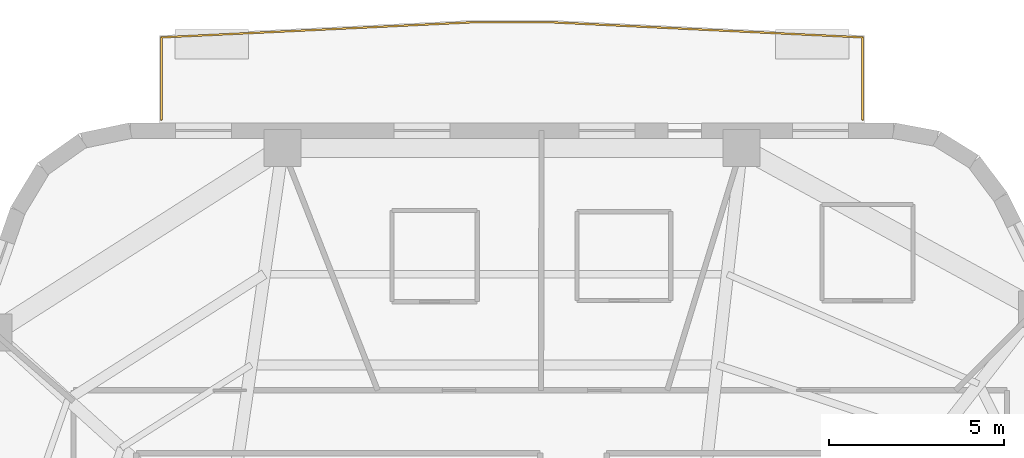
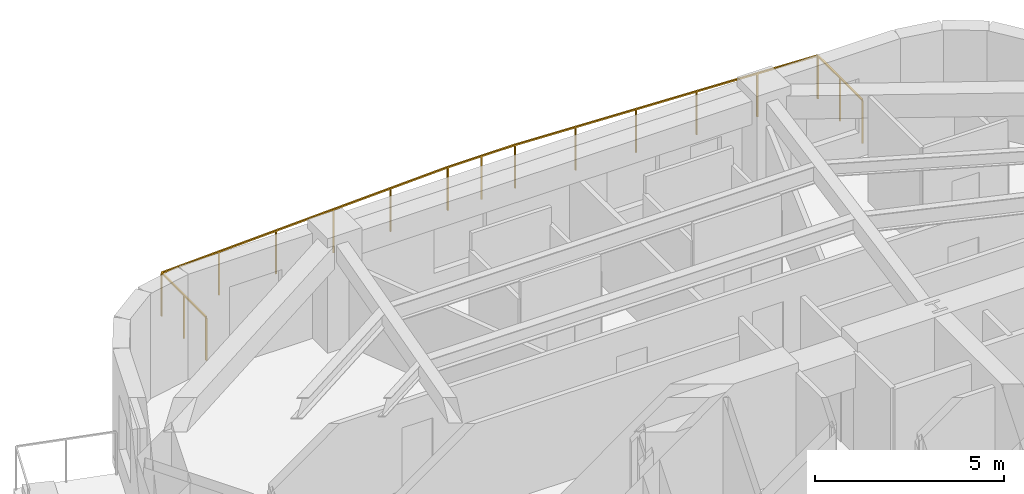
# One storey, part 11 of 11: 1 railing.
"""IFC4 building model written with IfcOpenShell, lengths in metres."""

from ifc_helpers import new_model, si_unit, direction, frame, origin, origin_2d, place, context, subcontext, project, spatial, rectangle, extrude, material, layer, layer_set, type_object, element, save


model = new_model("IFC4")

# Units and contexts
model_context = context("Model", 3, precision=1e-05, world=origin(), true_north=direction((0.0, 1.0)))
body_context = subcontext(model_context, "Body", "Model", "MODEL_VIEW")
ifc_project = project(units=[si_unit("LENGTHUNIT", "METRE"), si_unit("AREAUNIT", "SQUARE_METRE"), si_unit("VOLUMEUNIT", "CUBIC_METRE"), si_unit("PLANEANGLEUNIT", "RADIAN"), si_unit("MASSUNIT", "GRAM", prefix="KILO")], contexts=[model_context])

# Site, building, storey
site_placement = place(None, origin())
site = spatial("IfcSite", under=ifc_project, at=site_placement, CompositionType="ELEMENT")
building_placement = place(site_placement, origin())
building = spatial("IfcBuilding", under=site, at=building_placement, Name="Kilnhurst Terrace Hotel", CompositionType="ELEMENT")
storey_placement = place(building_placement, frame((0.0, 0.0, 159.10009765625)))
storey = spatial("IfcBuildingStorey", under=building, at=storey_placement, Name="L39", CompositionType="ELEMENT", Elevation=159.10009765625)

# Railing
ifc_material = material(Name="Laminated SentryGlas and Stainless Steel AISI 316L Balustrade", Category="steel")
ifc_layer = layer(ifc_material, 0.070068359375, Name="Laminated SentryGlas and Stainless Steel AISI 316L Balustrade")
ifc_layer_set = layer_set([ifc_layer], Name="Laminated SentryGlas and Stainless Steel AISI 316L Balustrade")
railing_type = type_object("IfcRailingType", Name="RLG-BAL-1420", PredefinedType="BALUSTRADE", material=ifc_layer_set)
railing_placement = place(storey_placement, frame((-10.83349609375, 19.580078125, 0.0)))
element("IfcRailing", 1, at=railing_placement, inside=storey, type_object=railing_type, Name="L39 Exterior Terrace Guardrail BAL-L2A.1", PredefinedType="BALUSTRADE", context=body_context, shape_type="SweptSolid", body=[
    extrude(rectangle(XDim=0.048095703125, YDim=0.048095703125, at=origin_2d()), frame((0.0, 0.0, 1.39599609375), z_axis=(0.0, 1.0, 0.0), x_axis=(-1.0, 0.0, 0.0)), (0.0, 0.0, 1.0), 2.36279296875),
    extrude(rectangle(XDim=0.048095703125, YDim=0.048095703125, at=origin_2d()), frame((0.0, 2.36279296875, 1.39599609375), z_axis=(0.998822813861, 0.048507592295, 0.0), x_axis=(-0.048507592295, 0.998822813861, 0.0)), (0.0, 0.0, 1.0), 9.009033203125),
    extrude(rectangle(XDim=0.048095703125, YDim=0.048095703125, at=origin_2d()), frame((8.99853515625, 2.7998046875, 1.39599609375), z_axis=(1.0, 0.0, 0.0), x_axis=(0.0, 1.0, 0.0)), (0.0, 0.0, 1.0), 2.0556640625),
    extrude(rectangle(XDim=0.048095703125, YDim=0.048095703125, at=origin_2d()), frame((11.05419921875, 2.7998046875, 1.39599609375), z_axis=(0.998822813861, -0.048507592295, 0.0), x_axis=(0.048507592295, 0.998822813861, 0.0)), (0.0, 0.0, 1.0), 9.009033203125),
    extrude(rectangle(XDim=0.048095703125, YDim=0.048095703125, at=origin_2d()), frame((20.052734375, 2.36279296875, 1.39599609375), z_axis=(0.0, -1.0, 0.0), x_axis=(1.0, 0.0, 0.0)), (0.0, 0.0, 1.0), 2.36279296875),
    extrude(rectangle(XDim=0.0419921875, YDim=0.0419921875, at=origin_2d()), origin(), (0.0, 0.0, 1.0), 1.371826171875),
    extrude(rectangle(XDim=0.0419921875, YDim=0.0419921875, at=origin_2d()), frame((0.0, 1.181396484375, 0.0)), (0.0, 0.0, 1.0), 1.371826171875),
    extrude(rectangle(XDim=0.0419921875, YDim=0.0419921875, at=origin_2d()), frame((0.0, 2.36279296875, 0.0)), (0.0, 0.0, 1.0), 1.371826171875),
    extrude(rectangle(XDim=0.0419921875, YDim=0.0419921875, at=origin_2d()), frame((1.7998046875, 2.4501953125, 0.0)), (0.0, 0.0, 1.0), 1.371826171875),
    extrude(rectangle(XDim=0.0419921875, YDim=0.0419921875, at=origin_2d()), frame((3.599365234375, 2.53759765625, 0.0)), (0.0, 0.0, 1.0), 1.371826171875),
    extrude(rectangle(XDim=0.0419921875, YDim=0.0419921875, at=origin_2d()), frame((5.399169921875, 2.625, 0.0)), (0.0, 0.0, 1.0), 1.371826171875),
    extrude(rectangle(XDim=0.0419921875, YDim=0.0419921875, at=origin_2d()), frame((7.19873046875, 2.71240234375, 0.0)), (0.0, 0.0, 1.0), 1.371826171875),
    extrude(rectangle(XDim=0.0419921875, YDim=0.0419921875, at=origin_2d()), frame((8.99853515625, 2.7998046875, 0.0)), (0.0, 0.0, 1.0), 1.371826171875),
    extrude(rectangle(XDim=0.0419921875, YDim=0.0419921875, at=origin_2d()), frame((10.0263671875, 2.7998046875, 0.0)), (0.0, 0.0, 1.0), 1.371826171875),
    extrude(rectangle(XDim=0.0419921875, YDim=0.0419921875, at=origin_2d()), frame((11.05419921875, 2.7998046875, 0.0)), (0.0, 0.0, 1.0), 1.371826171875),
    extrude(rectangle(XDim=0.0419921875, YDim=0.0419921875, at=origin_2d()), frame((12.85400390625, 2.71240234375, 0.0)), (0.0, 0.0, 1.0), 1.371826171875),
    extrude(rectangle(XDim=0.0419921875, YDim=0.0419921875, at=origin_2d()), frame((14.653564453125, 2.625, 0.0)), (0.0, 0.0, 1.0), 1.371826171875),
    extrude(rectangle(XDim=0.0419921875, YDim=0.0419921875, at=origin_2d()), frame((16.453369140625, 2.53759765625, 0.0)), (0.0, 0.0, 1.0), 1.371826171875),
    extrude(rectangle(XDim=0.0419921875, YDim=0.0419921875, at=origin_2d()), frame((18.2529296875, 2.4501953125, 0.0)), (0.0, 0.0, 1.0), 1.371826171875),
    extrude(rectangle(XDim=0.0419921875, YDim=0.0419921875, at=origin_2d()), frame((20.052734375, 2.36279296875, 0.0)), (0.0, 0.0, 1.0), 1.371826171875),
    extrude(rectangle(XDim=0.0419921875, YDim=0.0419921875, at=origin_2d()), frame((20.052734375, 1.181396484375, 0.0)), (0.0, 0.0, 1.0), 1.371826171875),
    extrude(rectangle(XDim=0.0419921875, YDim=0.0419921875, at=origin_2d()), frame((20.052734375, 0.0, 0.0)), (0.0, 0.0, 1.0), 1.371826171875),
])

save(model, "model.ifc")
